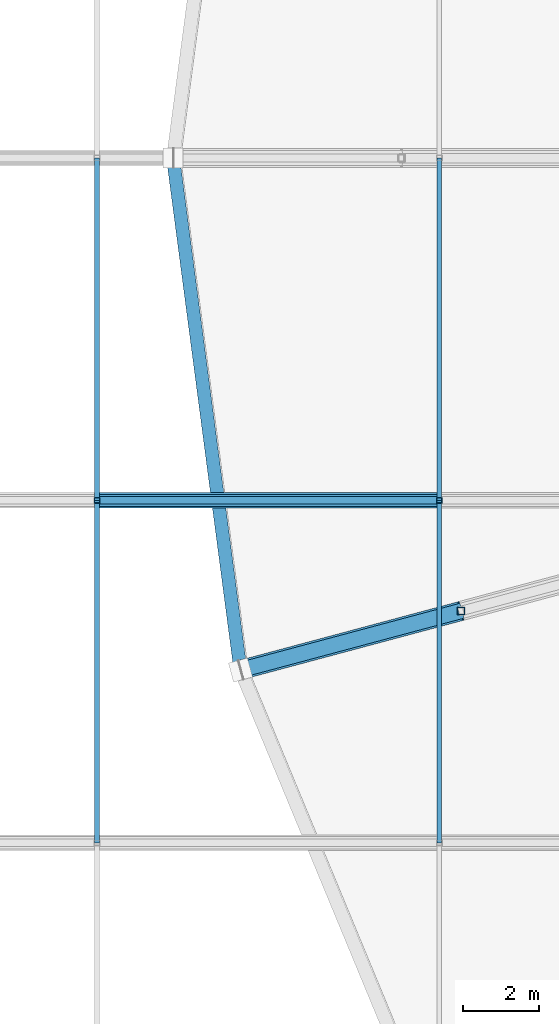
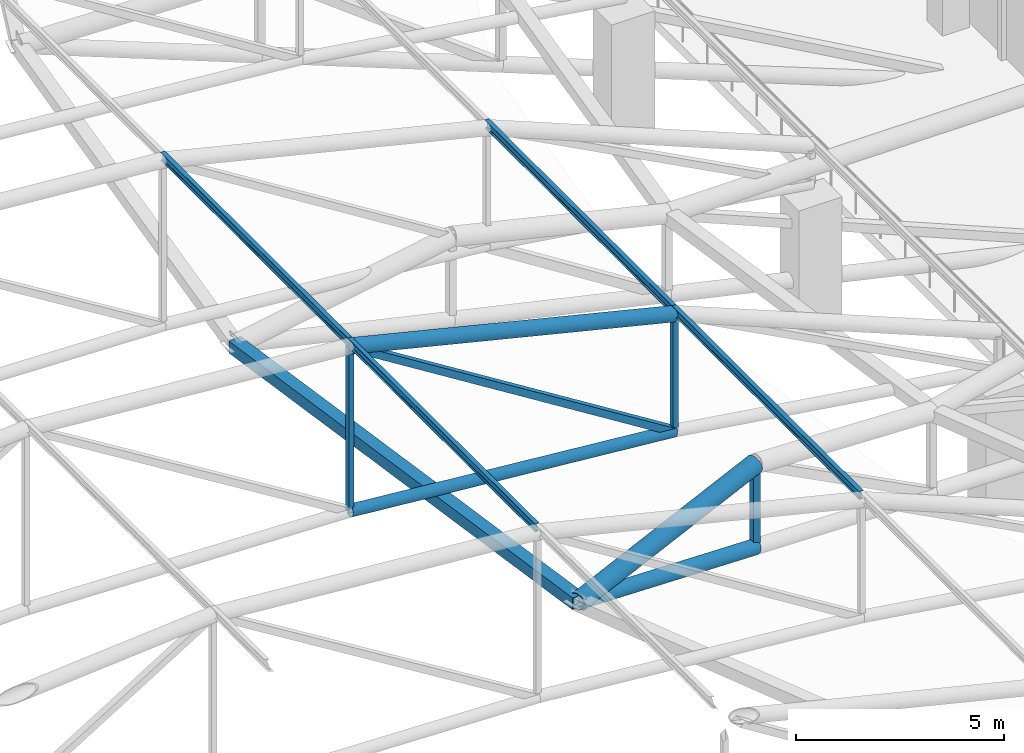
# One storey, part 47 of 167: 13 members.
"""IFC4 building model written with IfcOpenShell, lengths in metres."""

import ifcopenshell
import ifcopenshell.guid

model = None  # the IFC model being written
_history = None  # IfcOwnerHistory: only IFC2X3 demands one
_inside = {}  # id of a spatial element -> (the spatial element, [elements in it])
_under = {}  # id of a project, library or spatial element -> (it, [spatial elements below it])
_declared = {}  # id of a project -> (the project, [libraries it declares])
_typed = {}  # id of a type object -> (the type object, [elements of that type])
_made_of = {}  # id of a material, layer set ... -> (it, [elements and type objects made of it])


def new_model(schema):
    """Start an empty IFC model of exactly this schema.

    Asked for "IFC4X3", IfcOpenShell would pick the latest addendum, in which some entities
    have other attributes; the version numbers below select the first issue.
    IFC2X3 requires an IfcOwnerHistory on every rooted entity: one is made here for all.
    """
    global model, _history
    if schema == "IFC4X3":
        model = ifcopenshell.file(schema_version=(4, 3, 0, 0))
    else:
        model = ifcopenshell.file(schema=schema)
    _inside.clear()
    _under.clear()
    _declared.clear()
    _typed.clear()
    _made_of.clear()
    _history = None
    if model.schema == "IFC2X3":
        org = make("IfcOrganization", Name="unknown")
        user = make(
            "IfcPersonAndOrganization",
            ThePerson=make("IfcPerson", FamilyName="unknown"),
            TheOrganization=org,
        )
        app = make(
            "IfcApplication",
            ApplicationDeveloper=org,
            Version="unknown",
            ApplicationFullName="unknown",
            ApplicationIdentifier="unknown",
        )
        _history = make(
            "IfcOwnerHistory",
            OwningUser=user,
            OwningApplication=app,
            ChangeAction="ADDED",
            CreationDate=0,
        )
    return model


def make(cls, **values):
    """One entity of the class cls with the attributes given. An attribute that is None is left unset."""
    return model.create_entity(
        cls, **{name: value for name, value in values.items() if value is not None}
    )


def rooted(cls, **values):
    """An entity with a GlobalId (a new one), such as an element, a storey or a relation."""
    return make(cls, GlobalId=ifcopenshell.guid.new(), OwnerHistory=_history, **values)


def si_unit(unit_type, name, prefix=None):
    """IfcSIUnit, for example si_unit("LENGTHUNIT", "METRE", prefix="MILLI")."""
    return make("IfcSIUnit", UnitType=unit_type, Prefix=prefix, Name=name)


def assignment(units):
    """IfcUnitAssignment: the units of a project."""
    return None if units is None else make("IfcUnitAssignment", Units=units)


def point(xyz):
    """IfcCartesianPoint."""
    return None if xyz is None else make("IfcCartesianPoint", Coordinates=xyz)


def direction(xyz):
    """IfcDirection."""
    return None if xyz is None else make("IfcDirection", DirectionRatios=xyz)


def frame(location, z_axis=None, x_axis=None):
    """IfcAxis2Placement3D, a coordinate frame: its origin and axes. An axis left out is left unset."""
    return make(
        "IfcAxis2Placement3D",
        Location=point(location),
        Axis=direction(z_axis),
        RefDirection=direction(x_axis),
    )


def frame_2d(location, x_axis=None):
    """IfcAxis2Placement2D, a coordinate frame in the plane: its origin and x axis."""
    return make(
        "IfcAxis2Placement2D", Location=point(location), RefDirection=direction(x_axis)
    )


def origin():
    """The frame at (0, 0, 0) with its axes left unset."""
    return frame((0.0, 0.0, 0.0))


def origin_2d():
    """The frame at (0, 0) in the plane with its x axis left unset."""
    return frame_2d((0.0, 0.0))


def place(relative_to, where):
    """IfcLocalPlacement: puts the frame where relative to a parent placement (None: the world)."""
    return make(
        "IfcLocalPlacement", PlacementRelTo=relative_to, RelativePlacement=where
    )


def context(
    kind, dimensions, precision=None, world=None, true_north=None, identifier=None
):
    """IfcGeometricRepresentationContext, for example the 3D "Model" context."""
    return make(
        "IfcGeometricRepresentationContext",
        ContextIdentifier=identifier,
        ContextType=kind,
        CoordinateSpaceDimension=dimensions,
        Precision=precision,
        WorldCoordinateSystem=world,
        TrueNorth=true_north,
    )


def subcontext(parent, identifier, kind, view, scale=None):
    """IfcGeometricRepresentationSubContext, for example "Body" below "Model"."""
    return make(
        "IfcGeometricRepresentationSubContext",
        ContextIdentifier=identifier,
        ContextType=kind,
        ParentContext=parent,
        TargetScale=scale,
        TargetView=view,
    )


def project(units=None, contexts=None):
    """IfcProject with its units and contexts."""
    return rooted(
        "IfcProject",
        Name="project",
        RepresentationContexts=contexts,
        UnitsInContext=assignment(units),
    )


def spatial(cls, under=None, at=None, **own):
    """A site, building, storey or space (cls), placed at a placement, below another one or the project."""
    s = rooted(cls, ObjectPlacement=at, **own)
    if under is not None:
        _under.setdefault(under.id(), (under, []))[1].append(s)
    return s


def profile(cls, at=None, kind="AREA", **sizes):
    """A parametric profile (cls). Its sizes go by their IFC names, for example OverallWidth=200.0."""
    return make(cls, ProfileType=kind, Position=at, **sizes)


def hollow_rectangle(**sizes):
    """IfcRectangleHollowProfileDef."""
    return profile("IfcRectangleHollowProfileDef", **sizes)


def hollow_circle(**sizes):
    """IfcCircleHollowProfileDef."""
    return profile("IfcCircleHollowProfileDef", **sizes)


def i_section(**sizes):
    """IfcIShapeProfileDef."""
    return profile("IfcIShapeProfileDef", **sizes)


def extrude(swept, where, along, depth):
    """IfcExtrudedAreaSolid: the profile swept, set in the frame where, extruded along a direction by depth."""
    return make(
        "IfcExtrudedAreaSolid",
        SweptArea=swept,
        Position=where,
        ExtrudedDirection=direction(along),
        Depth=depth,
    )


def shape(context_of_items, identifier, shape_type, items):
    """IfcShapeRepresentation: the items that make up one representation, for example the "Body"."""
    return make(
        "IfcShapeRepresentation",
        ContextOfItems=context_of_items,
        RepresentationIdentifier=identifier,
        RepresentationType=shape_type,
        Items=items,
    )


def material(Name=None, Category=None):
    """IfcMaterial."""
    return make("IfcMaterial", Name=Name, Category=Category)


def material_profile(
    of_material, cross_section, Name=None, Category=None, Priority=None
):
    """IfcMaterialProfile: a cross section and its material."""
    return make(
        "IfcMaterialProfile",
        Name=Name,
        Material=of_material,
        Profile=cross_section,
        Priority=Priority,
        Category=Category,
    )


def profile_set(profiles, Name=None, composite=None):
    """IfcMaterialProfileSet."""
    return make(
        "IfcMaterialProfileSet",
        Name=Name,
        MaterialProfiles=profiles,
        CompositeProfile=composite,
    )


def made_of(thing, what):
    """Note that an element or type object is made of a material, layer set ...; save() writes the relation."""
    if what is not None:
        _made_of.setdefault(what.id(), (what, []))[1].append(thing)
    return thing


def type_object(cls, material=None, **own):
    """A type object (cls), such as IfcWallType, which elements share."""
    return made_of(rooted(cls, **own), material)


def element(
    cls,
    number,
    at=None,
    inside=None,
    cuts=None,
    type_object=None,
    material=None,
    context=None,
    identifier="Body",
    shape_type=None,
    held_by="IfcProductDefinitionShape",
    body=None,
    shapes=None,
    **own,
):
    """One element of the class cls, such as IfcWall. Its Tag is "e" and its number.

    at: its placement. inside: the storey or other place that contains it. cuts: it is an
    opening in that element (IfcRelVoidsElement). A single representation is given by context,
    identifier, shape_type and body (its items); several are given by shapes. held_by: the class
    of the entity that holds the representations. save() writes the other relations.
    """
    e = rooted(cls, Tag="e%d" % number, ObjectPlacement=at, **own)
    if body is not None:
        shapes = [shape(context, identifier, shape_type, body)]
    if shapes is not None:
        e.Representation = make(held_by, Representations=shapes)
    if inside is not None:
        _inside.setdefault(inside.id(), (inside, []))[1].append(e)
    if cuts is not None:
        rooted(
            "IfcRelVoidsElement", RelatingBuildingElement=cuts, RelatedOpeningElement=e
        )
    if type_object is not None:
        _typed.setdefault(type_object.id(), (type_object, []))[1].append(e)
    return made_of(e, material)


def aggregate(whole, parts):
    """IfcRelAggregates: a whole, such as a stair, and the parts it consists of."""
    return rooted("IfcRelAggregates", RelatingObject=whole, RelatedObjects=parts)


def save(model, path):
    """Write the relations noted so far, then the file.

    IfcRelAggregates (storeys below a building ...), IfcRelContainedInSpatialStructure (elements
    in a storey), IfcRelDefinesByType, IfcRelAssociatesMaterial and IfcRelDeclares: one each for
    every whole, place, type object, material and project.
    """
    for whole, parts in _under.values():
        aggregate(whole, parts)
    for where, things in _inside.values():
        rooted(
            "IfcRelContainedInSpatialStructure",
            RelatedElements=things,
            RelatingStructure=where,
        )
    for kind, things in _typed.values():
        rooted("IfcRelDefinesByType", RelatedObjects=things, RelatingType=kind)
    for what, things in _made_of.values():
        rooted("IfcRelAssociatesMaterial", RelatedObjects=things, RelatingMaterial=what)
    for by, libraries in _declared.values():
        rooted("IfcRelDeclares", RelatingContext=by, RelatedDefinitions=libraries)
    model.write(path)


model = new_model("IFC4")

# Units and contexts
model_context = context("Model", 3, precision=1e-05, world=origin(), true_north=direction((0.0, 1.0)))
body_context = subcontext(model_context, "Body", "Model", "MODEL_VIEW")
ifc_project = project(units=[si_unit("LENGTHUNIT", "METRE"), si_unit("AREAUNIT", "SQUARE_METRE"), si_unit("VOLUMEUNIT", "CUBIC_METRE"), si_unit("PLANEANGLEUNIT", "RADIAN"), si_unit("MASSUNIT", "GRAM", prefix="KILO")], contexts=[model_context])

# Site, building, storey
site_placement = place(None, origin())
site = spatial("IfcSite", under=ifc_project, at=site_placement, CompositionType="ELEMENT")
building_placement = place(site_placement, origin())
building = spatial("IfcBuilding", under=site, at=building_placement, Name="Dornveld Trade and Exhibition Forum", CompositionType="ELEMENT")
storey_placement = place(building_placement, frame((0.0, 0.0, 16.800048828125)))
storey = spatial("IfcBuildingStorey", under=building, at=storey_placement, Name="L03", CompositionType="ELEMENT", Elevation=16.800048828125)

# Members
ifc_material_1 = material(Name="Steel S355J2", Category="steel")
ifc_material_profile_1 = material_profile(ifc_material_1, hollow_circle(Radius=0.161865234375, WallThickness=0.01611328125, at=origin_2d()), Name="CHS 323.9x16")
ifc_profile_set_1 = profile_set([ifc_material_profile_1], Name="Steel S355J2")
member_type_1 = type_object("IfcMemberType", Name="MEM-ARCH-BC", PredefinedType="CHORD", material=ifc_profile_set_1)
member_1_placement = place(storey_placement, frame((63.0, 72.0, 6.083251953125), z_axis=(0.996072164085, 0.0, -0.088545151956), x_axis=(0.0, 1.0, 0.0)))
element("IfcMember", 1, at=member_1_placement, inside=storey, type_object=member_type_1, Name="H3 truss 5 tie chord 5", PredefinedType="CHORD", context=body_context, shape_type="SweptSolid", body=[
    extrude(hollow_circle(Radius=0.161865234375, WallThickness=0.01611328125, at=origin_2d()), origin(), (0.0, 0.0, 1.0), 9.035400390625),
])
ifc_material_2 = material(Name="Steel S355J2", Category="steel")
ifc_material_profile_2 = material_profile(ifc_material_2, hollow_rectangle(XDim=0.14990234375, YDim=0.14990234375, WallThickness=0.008056640625, at=origin_2d()), Name="SHS 150x150x8")
ifc_profile_set_2 = profile_set([ifc_material_profile_2], Name="Steel S355J2")
member_type_2 = type_object("IfcMemberType", Name="MEM-ARCH-STR", PredefinedType="STRUT", material=ifc_profile_set_2)
member_2_placement = place(storey_placement, frame((63.0, 72.0, 6.083251953125), z_axis=(0.0, 0.0, 1.0), x_axis=(1.0, 0.0, 0.0)))
element("IfcMember", 2, at=member_2_placement, inside=storey, type_object=member_type_2, Name="H3 truss 5 strut 5", PredefinedType="STRUT", context=body_context, shape_type="SweptSolid", body=[
    extrude(hollow_rectangle(XDim=0.14990234375, YDim=0.14990234375, WallThickness=0.008056640625, at=origin_2d()), origin(), (0.0, 0.0, 1.0), 4.83349609375),
])
member_3_placement = place(storey_placement, frame((72.0, 72.0, 5.283203125), z_axis=(0.0, 0.0, 1.0), x_axis=(1.0, 0.0, 0.0)))
element("IfcMember", 3, at=member_3_placement, inside=storey, type_object=member_type_2, Name="H3 truss 5 strut 6", PredefinedType="STRUT", context=body_context, shape_type="SweptSolid", body=[
    extrude(hollow_rectangle(XDim=0.14990234375, YDim=0.14990234375, WallThickness=0.008056640625, at=origin_2d()), origin(), (0.0, 0.0, 1.0), 3.433349609375),
])
ifc_material_3 = material(Name="Steel S355J2", Category="steel")
ifc_material_profile_3 = material_profile(ifc_material_3, hollow_circle(Radius=0.203125, WallThickness=0.02001953125, at=origin_2d()), Name="CHS 406.4x20")
ifc_profile_set_3 = profile_set([ifc_material_profile_3], Name="Steel S355J2")
member_type_3 = type_object("IfcMemberType", Name="MEM-ARCH-TC", PredefinedType="CHORD", material=ifc_profile_set_3)
member_4_placement = place(storey_placement, frame((63.0, 72.0, 10.916748046875), z_axis=(0.971394143806, 0.0, -0.237472982421), x_axis=(0.0, 1.0, 0.0)))
element("IfcMember", 4, at=member_4_placement, inside=storey, type_object=member_type_3, Name="H3 truss 5 top chord 5", PredefinedType="CHORD", context=body_context, shape_type="SweptSolid", body=[
    extrude(hollow_circle(Radius=0.203125, WallThickness=0.02001953125, at=origin_2d()), origin(), (0.0, 0.0, 1.0), 9.26513671875),
])
ifc_material_4 = material(Name="Steel S355J2", Category="steel")
ifc_material_profile_4 = material_profile(ifc_material_4, hollow_rectangle(XDim=0.199951171875, YDim=0.199951171875, WallThickness=0.010009765625, at=origin_2d()), Name="SHS 200x200x10")
ifc_profile_set_4 = profile_set([ifc_material_profile_4], Name="Steel S355J2")
member_type_4 = type_object("IfcMemberType", Name="MEM-ARCH-WEB", PredefinedType="BRACE", material=ifc_profile_set_4)
member_5_placement = place(storey_placement, frame((72.0, 72.0, 5.283203125), z_axis=(-0.84763640931, 0.0, 0.53057753214), x_axis=(0.0, -1.0, 0.0)))
element("IfcMember", 5, at=member_5_placement, inside=storey, type_object=member_type_4, Name="H3 truss 5 web 5", PredefinedType="BRACE", context=body_context, shape_type="SweptSolid", body=[
    extrude(hollow_rectangle(XDim=0.199951171875, YDim=0.199951171875, WallThickness=0.010009765625, at=origin_2d()), origin(), (0.0, 0.0, 1.0), 10.61767578125),
])
ifc_material_5 = material(Name="Steel S355J2", Category="steel")
ifc_material_profile_5 = material_profile(ifc_material_5, hollow_circle(Radius=0.203125, WallThickness=0.02001953125, at=origin_2d()), Name="CHS 406.4x20")
ifc_profile_set_5 = profile_set([ifc_material_profile_5], Name="Steel S355J2")
member_type_5 = type_object("IfcMemberType", Name="MEM-DISC-BC", PredefinedType="CHORD", material=ifc_profile_set_5)
member_6_placement = place(storey_placement, frame((72.5673828125, 69.09423828125, 3.437744140625), z_axis=(-0.941955467078, -0.25237327368, 0.221421834455), x_axis=(0.2587971036, -0.96593170523, 0.0)))
element("IfcMember", 6, at=member_6_placement, inside=storey, type_object=member_type_5, Name="Roof disc radial R14 conical bottom chord 4", PredefinedType="CHORD", context=body_context, shape_type="SweptSolid", body=[
    extrude(hollow_circle(Radius=0.203125, WallThickness=0.02001953125, at=origin_2d()), origin(), (0.0, 0.0, 1.0), 6.152587890625),
])
ifc_material_6 = material(Name="Steel S355J2", Category="steel")
ifc_material_profile_6 = material_profile(ifc_material_6, hollow_rectangle(XDim=0.35009765625, YDim=0.35009765625, WallThickness=0.01611328125, at=origin_2d()), Name="SHS 350x350x16")
ifc_profile_set_6 = profile_set([ifc_material_profile_6], Name="Steel S355J2")
member_type_6 = type_object("IfcMemberType", Name="MEM-DISC-RING", PredefinedType="CHORD", material=ifc_profile_set_6)
member_7_placement = place(storey_placement, frame((65.0, 81.0, 4.800048828125), z_axis=(0.130535463208, -0.991443640781, 0.0), x_axis=(0.991443640781, 0.130535463208, 0.0)))
element("IfcMember", 7, at=member_7_placement, inside=storey, type_object=member_type_6, Name="Roof disc ring 4 chord 13", PredefinedType="CHORD", context=body_context, shape_type="SweptSolid", body=[
    extrude(hollow_rectangle(XDim=0.35009765625, YDim=0.35009765625, WallThickness=0.01611328125, at=origin_2d()), origin(), (0.0, 0.0, 1.0), 13.57470703125),
])
ifc_material_7 = material(Name="Steel S355J2", Category="steel")
ifc_material_profile_7 = material_profile(ifc_material_7, hollow_rectangle(XDim=0.199951171875, YDim=0.199951171875, WallThickness=0.010009765625, at=origin_2d()), Name="SHS 200x200x10")
ifc_profile_set_7 = profile_set([ifc_material_profile_7], Name="Steel S355J2")
member_type_7 = type_object("IfcMemberType", Name="MEM-DISC-STR", PredefinedType="STRUT", material=ifc_profile_set_7)
member_8_placement = place(storey_placement, frame((72.5673828125, 69.09423828125, 3.437744140625), z_axis=(0.0, 0.0, 1.0), x_axis=(1.0, 0.0, 0.0)))
element("IfcMember", 8, at=member_8_placement, inside=storey, type_object=member_type_7, Name="Roof disc radial R14 strut 4", PredefinedType="STRUT", context=body_context, shape_type="SweptSolid", body=[
    extrude(hollow_rectangle(XDim=0.199951171875, YDim=0.199951171875, WallThickness=0.010009765625, at=origin_2d()), origin(), (0.0, 0.0, 1.0), 2.437255859375),
])
ifc_material_8 = material(Name="Steel S355J2", Category="steel")
ifc_material_profile_8 = material_profile(ifc_material_8, hollow_circle(Radius=0.25390625, WallThickness=0.02490234375, at=origin_2d()), Name="CHS 508x25")
ifc_profile_set_8 = profile_set([ifc_material_profile_8], Name="Steel S355J2")
member_type_8 = type_object("IfcMemberType", Name="MEM-DISC-TC", PredefinedType="CHORD", material=ifc_profile_set_8)
member_9_placement = place(storey_placement, frame((72.5673828125, 69.09423828125, 5.875), z_axis=(-0.950792133905, -0.254740836281, -0.176355959457), x_axis=(0.2587971036, -0.96593170523, 0.0)))
element("IfcMember", 9, at=member_9_placement, inside=storey, type_object=member_type_8, Name="Roof disc radial R14 top chord 4", PredefinedType="CHORD", context=body_context, shape_type="SweptSolid", body=[
    extrude(hollow_circle(Radius=0.25390625, WallThickness=0.02490234375, at=origin_2d()), origin(), (0.0, 0.0, 1.0), 6.095458984375),
])
ifc_material_9 = material(Name="Steel S355J2", Category="steel")
ifc_material_profile_9 = material_profile(ifc_material_9, i_section(OverallWidth=0.1201171875, OverallDepth=0.239990234375, WebThickness=0.006103515625, FlangeThickness=0.009765625, FilletRadius=0.014892578125, at=origin_2d()), Name="IPE 240")
ifc_profile_set_9 = profile_set([ifc_material_profile_9], Name="Steel S355J2")
member_type_9 = type_object("IfcMemberType", Name="MEM-PURLIN-240", PredefinedType="PURLIN", material=ifc_profile_set_9)
for number, where, z_axis, x_axis, name in (
    (10, (63.0, 63.0, 11.048583984375), (0.0, 1.0, 0.0), (-1.0, 0.0, 0.0), "H3 bay 4 roof purlin 5"),
    (11, (72.0, 63.0, 8.8486328125), (0.0, 1.0, 0.0), (-1.0, 0.0, 0.0), "H3 bay 4 roof purlin 6"),
    (12, (63.0, 72.0, 11.048583984375), (0.0, 1.0, 0.0), (-1.0, 0.0, 0.0), "H3 bay 5 roof purlin 5"),
    (13, (72.0, 72.0, 8.8486328125), (0.0, 1.0, 0.0), (-1.0, 0.0, 0.0), "H3 bay 5 roof purlin 6"),
):
    element("IfcMember", number, at=place(storey_placement, frame(where, z_axis=z_axis, x_axis=x_axis)), inside=storey, type_object=member_type_9, Name=name, PredefinedType="PURLIN", context=body_context, shape_type="SweptSolid", body=[
        extrude(i_section(OverallWidth=0.1201171875, OverallDepth=0.239990234375, WebThickness=0.006103515625, FlangeThickness=0.009765625, FilletRadius=0.014892578125, at=origin_2d()), origin(), (0.0, 0.0, 1.0), 9.0),
    ])

save(model, "model.ifc")
